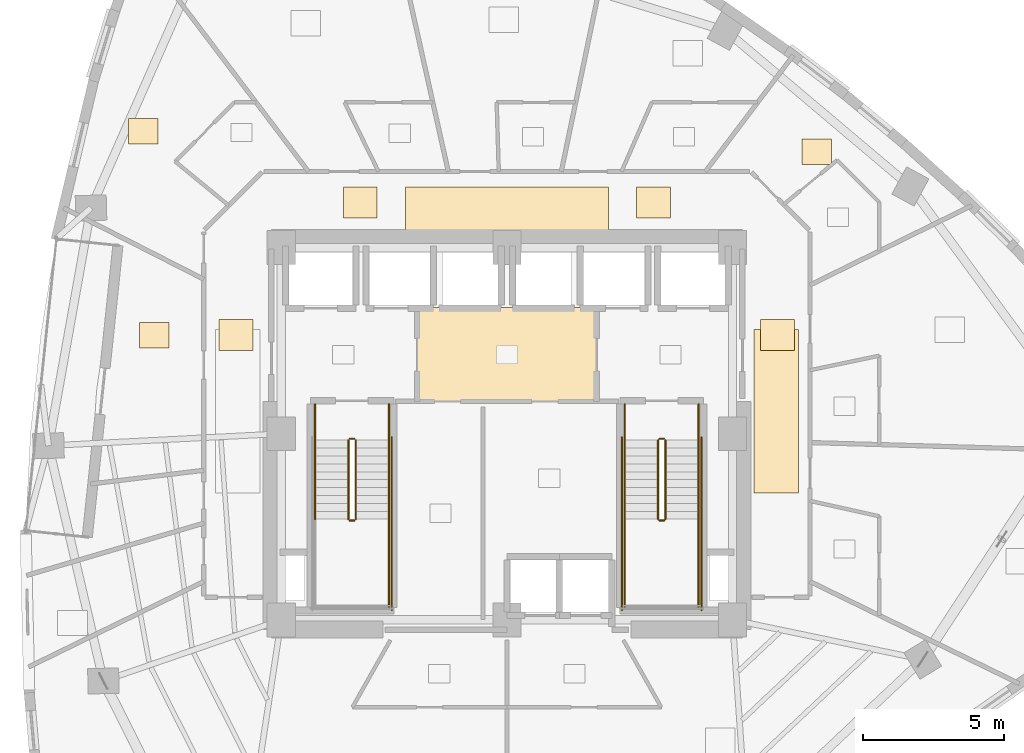
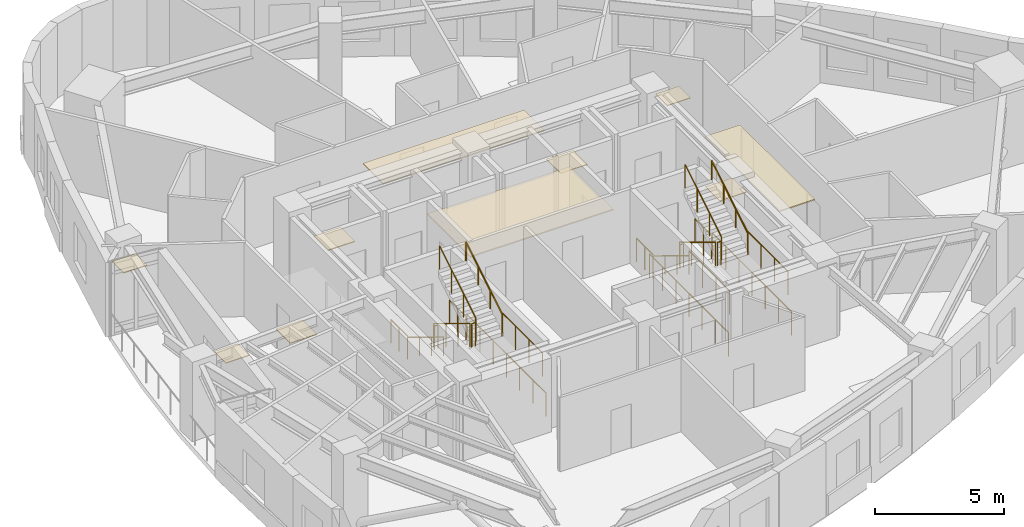
# One storey, part 11 of 12: 22 railings, 10 coverings.
"""IFC4 building model written with IfcOpenShell, lengths in metres."""

from ifc_helpers import new_model, si_unit, direction, frame, origin, origin_2d, place, context, subcontext, project, spatial, rectangle, circle, extrude, material, layer, layer_set, type_object, element, save


model = new_model("IFC4")

# Units and contexts
model_context = context("Model", 3, precision=1e-05, world=origin(), true_north=direction((0.0, 1.0)))
body_context = subcontext(model_context, "Body", "Model", "MODEL_VIEW")
ifc_project = project(units=[si_unit("LENGTHUNIT", "METRE"), si_unit("AREAUNIT", "SQUARE_METRE"), si_unit("VOLUMEUNIT", "CUBIC_METRE"), si_unit("PLANEANGLEUNIT", "RADIAN"), si_unit("MASSUNIT", "GRAM", prefix="KILO")], contexts=[model_context])

# Site, building, storey
site_placement = place(None, origin())
site = spatial("IfcSite", under=ifc_project, at=site_placement, CompositionType="ELEMENT")
building_placement = place(site_placement, origin())
building = spatial("IfcBuilding", under=site, at=building_placement, Name="Ndelora Gate Hotel", CompositionType="ELEMENT")
storey_placement = place(building_placement, frame((0.0, 0.0, 104.75)))
storey = spatial("IfcBuildingStorey", under=building, at=storey_placement, Name="L25", CompositionType="ELEMENT", Elevation=104.75)

# Coverings
ifc_material_1 = material(Name="Perforated Acoustic Gypsum Board", Category="gypsum")
ifc_layer_1 = layer(ifc_material_1, 0.054931640625)
ifc_layer_set_1 = layer_set([ifc_layer_1], Name="Perforated Acoustic Gypsum Board")
covering_type_1 = type_object("IfcCoveringType", Name="COV-CEIL-AC60", PredefinedType="CEILING", material=ifc_layer_set_1)
covering_1_placement = place(storey_placement, frame((0.0, 2.800048828125, 2.72265625), z_axis=(0.0, 0.0, 1.0), x_axis=(1.0, 0.0, 0.0)))
element("IfcCovering", 1, at=covering_1_placement, inside=storey, type_object=covering_type_1, Name="L25 Lift Lobby Acoustic Ceiling", PredefinedType="CEILING", context=body_context, shape_type="SweptSolid", body=[
    extrude(rectangle(XDim=6.39990234375, YDim=3.340087890625, at=origin_2d()), origin(), (0.0, 0.0, 1.0), 0.054931640625),
])
covering_2_placement = place(storey_placement, frame((0.0, 7.9599609375, 2.65234375), z_axis=(0.0, 0.0, 1.0), x_axis=(1.0, 0.0, 0.0)))
element("IfcCovering", 2, at=covering_2_placement, inside=storey, type_object=covering_type_1, Name="L25 Guest Corridor Acoustic Ceiling N", PredefinedType="CEILING", context=body_context, shape_type="SweptSolid", body=[
    extrude(rectangle(XDim=7.199951171875, YDim=1.580078125, at=origin_2d()), origin(), (0.0, 0.0, 1.0), 0.054931640625),
])
covering_3_placement = place(storey_placement, frame((9.550048828125, 0.800048828125, 2.65234375), z_axis=(0.0, 0.0, 1.0), x_axis=(1.0, 0.0, 0.0)))
element("IfcCovering", 3, at=covering_3_placement, inside=storey, type_object=covering_type_1, Name="L25 Guest Corridor Acoustic Ceiling E", PredefinedType="CEILING", context=body_context, shape_type="SweptSolid", body=[
    extrude(rectangle(XDim=1.580078125, YDim=5.800048828125, at=origin_2d()), origin(), (0.0, 0.0, 1.0), 0.054931640625),
])
ifc_material_2 = material(Name="Engineered Highland Oak Parquet", Category="wood")
ifc_layer_2 = layer(ifc_material_2, 0.030029296875)
ifc_layer_set_2 = layer_set([ifc_layer_2], Name="Engineered Highland Oak Parquet")
covering_type_2 = type_object("IfcCoveringType", Name="COV-FLR-PARQ", PredefinedType="FLOORING", material=ifc_layer_set_2)
for number, where, z_axis, x_axis, name in (
    (4, (10.98388671875, 9.997314453125, 0.0), (0.0, 0.0, 1.0), (1.0, 0.0, 0.0), "L25 South Reclaimed Club Suite 2805 Oak Parquet Flooring"),
    (5, (-12.8896484375, 10.730224609375, 0.0), (0.0, 0.0, 1.0), (1.0, 0.0, 0.0), "L25 Club King Guest Room 2809 Oak Parquet Flooring"),
    (6, (-12.505615234375, 3.489501953125, 0.0), (0.0, 0.0, 1.0), (1.0, 0.0, 0.0), "L25 Sky Garden Tea Dining Room Oak Parquet Flooring"),
):
    element("IfcCovering", number, at=place(storey_placement, frame(where, z_axis=z_axis, x_axis=x_axis)), inside=storey, type_object=covering_type_2, Name=name, PredefinedType="FLOORING", context=body_context, shape_type="SweptSolid", body=[
        extrude(rectangle(XDim=1.050048828125, YDim=0.89990234375, at=origin_2d()), origin(), (0.0, 0.0, 1.0), 0.030029296875),
    ])
ifc_material_3 = material(Name="Polished Highland Stone Terrazzo", Category="masonry")
ifc_layer_3 = layer(ifc_material_3, 0.034912109375)
ifc_layer_set_3 = layer_set([ifc_layer_3], Name="Polished Highland Stone Terrazzo")
covering_type_3 = type_object("IfcCoveringType", Name="COV-FLR-TERZ", PredefinedType="FLOORING", material=ifc_layer_set_3)
for number, where, z_axis, x_axis, name in (
    (7, (-5.199951171875, 8.199951171875, 0.0), (0.0, 0.0, 1.0), (1.0, 0.0, 0.0), "L25 Corridor Threshold Terrazzo Inlay NW"),
    (8, (5.199951171875, 8.199951171875, 0.0), (0.0, 0.0, 1.0), (1.0, 0.0, 0.0), "L25 Corridor Threshold Terrazzo Inlay NE"),
    (9, (-9.60009765625, 3.5, 0.0), (0.0, 0.0, 1.0), (1.0, 0.0, 0.0), "L25 Corridor Threshold Terrazzo Inlay W"),
    (10, (9.60009765625, 3.5, 0.0), (0.0, 0.0, 1.0), (1.0, 0.0, 0.0), "L25 Corridor Threshold Terrazzo Inlay E"),
):
    element("IfcCovering", number, at=place(storey_placement, frame(where, z_axis=z_axis, x_axis=x_axis)), inside=storey, type_object=covering_type_3, Name=name, PredefinedType="FLOORING", context=body_context, shape_type="SweptSolid", body=[
        extrude(rectangle(XDim=1.199951171875, YDim=1.10009765625, at=origin_2d()), origin(), (0.0, 0.0, 1.0), 0.034912109375),
    ])

# Railings
ifc_material_4 = material(Name="Painted Galvanized Steel Balustrade", Category="steel")
ifc_layer_4 = layer(ifc_material_4, 0.06005859375)
ifc_layer_set_4 = layer_set([ifc_layer_4], Name="Painted Galvanized Steel Balustrade")
railing_type_1 = type_object("IfcRailingType", Name="RL-STAIR-GD", PredefinedType="GUARDRAIL", material=ifc_layer_set_4)
railing_1_placement = place(storey_placement, frame((-5.6201171875, -0.22998046875, 0.17041015625)))
element("IfcRailing", 11, at=railing_1_placement, inside=storey, type_object=railing_type_1, Name="L25 ST4 stair guard 1", PredefinedType="GUARDRAIL", context=body_context, shape_type="SweptSolid", body=[
    extrude(circle(Radius=0.02392578125, at=origin_2d()), frame((0.0, 0.0, 1.10595703125), z_axis=(0.0, -0.854169791009, 0.51999420009), x_axis=(1.0, 0.0, 0.0)), (0.0, 0.0, 1.0), 3.278076171875),
    extrude(circle(Radius=0.02099609375, at=origin_2d()), origin(), (0.0, 0.0, 1.0), 1.081787109375),
    extrude(circle(Radius=0.02099609375, at=origin_2d()), frame((0.0, -0.933349609375, 0.568115234375)), (0.0, 0.0, 1.0), 1.081787109375),
    extrude(circle(Radius=0.02099609375, at=origin_2d()), frame((0.0, -1.86669921875, 1.136474609375)), (0.0, 0.0, 1.0), 1.081787109375),
    extrude(circle(Radius=0.02099609375, at=origin_2d()), frame((0.0, -2.800048828125, 1.70458984375)), (0.0, 0.0, 1.0), 1.081787109375),
])
railing_2_placement = place(storey_placement, frame((-5.570068359375, -3.080078125, 1.875)))
element("IfcRailing", 12, at=railing_2_placement, inside=storey, type_object=railing_type_1, Name="L25 ST4 stair guard 2", PredefinedType="GUARDRAIL", context=body_context, shape_type="SweptSolid", body=[
    extrude(circle(Radius=0.02392578125, at=origin_2d()), frame((0.0, 0.0, 1.10595703125), z_axis=(1.0, 0.0, 0.0), x_axis=(0.0, 1.0, 0.0)), (0.0, 0.0, 1.0), 0.16015625),
    extrude(circle(Radius=0.02099609375, at=origin_2d()), origin(), (0.0, 0.0, 1.0), 1.081787109375),
    extrude(circle(Radius=0.02099609375, at=origin_2d()), frame((0.16015625, 0.0, 0.0)), (0.0, 0.0, 1.0), 1.081787109375),
])
railing_3_placement = place(storey_placement, frame((-4.179931640625, -3.030029296875, 1.875)))
element("IfcRailing", 13, at=railing_3_placement, inside=storey, type_object=railing_type_1, Name="L25 ST4 stair guard 4", PredefinedType="GUARDRAIL", context=body_context, shape_type="SweptSolid", body=[
    extrude(circle(Radius=0.02392578125, at=origin_2d()), frame((0.0, 0.0, 1.10595703125), z_axis=(0.0, -1.0, 0.0), x_axis=(1.0, 0.0, 0.0)), (0.0, 0.0, 1.0), 3.119873046875),
    extrude(circle(Radius=0.02099609375, at=origin_2d()), origin(), (0.0, 0.0, 1.0), 1.081787109375),
    extrude(circle(Radius=0.02099609375, at=origin_2d()), frame((0.0, -1.0400390625, 0.0)), (0.0, 0.0, 1.0), 1.081787109375),
    extrude(circle(Radius=0.02099609375, at=origin_2d()), frame((0.0, -2.079833984375, 0.0)), (0.0, 0.0, 1.0), 1.081787109375),
    extrude(circle(Radius=0.02099609375, at=origin_2d()), frame((0.0, -3.119873046875, 0.0)), (0.0, 0.0, 1.0), 1.081787109375),
])
railing_4_placement = place(storey_placement, frame((-5.360107421875, -3.030029296875, 2.04541015625)))
element("IfcRailing", 14, at=railing_4_placement, inside=storey, type_object=railing_type_1, Name="L25 ST4 stair guard 6", PredefinedType="GUARDRAIL", context=body_context, shape_type="SweptSolid", body=[
    extrude(circle(Radius=0.02392578125, at=origin_2d()), frame((0.0, 0.0, 1.10595703125), z_axis=(0.0, 0.854169791009, 0.51999420009), x_axis=(-1.0, 0.0, 0.0)), (0.0, 0.0, 1.0), 3.278076171875),
    extrude(circle(Radius=0.02099609375, at=origin_2d()), origin(), (0.0, 0.0, 1.0), 1.081787109375),
    extrude(circle(Radius=0.02099609375, at=origin_2d()), frame((0.0, 0.933349609375, 0.568115234375)), (0.0, 0.0, 1.0), 1.081787109375),
    extrude(circle(Radius=0.02099609375, at=origin_2d()), frame((0.0, 1.86669921875, 1.136474609375)), (0.0, 0.0, 1.0), 1.081787109375),
    extrude(circle(Radius=0.02099609375, at=origin_2d()), frame((0.0, 2.800048828125, 1.70458984375)), (0.0, 0.0, 1.0), 1.081787109375),
])
railing_5_placement = place(storey_placement, frame((-5.570068359375, -0.179931640625, 0.0)))
element("IfcRailing", 15, at=railing_5_placement, inside=storey, type_object=railing_type_1, Name="L25 ST4 stair guard 7", PredefinedType="GUARDRAIL", context=body_context, shape_type="SweptSolid", body=[
    extrude(circle(Radius=0.02392578125, at=origin_2d()), frame((0.0, 0.0, 1.10595703125), z_axis=(1.0, 0.0, 0.0), x_axis=(0.0, 1.0, 0.0)), (0.0, 0.0, 1.0), 0.16015625),
    extrude(circle(Radius=0.02099609375, at=origin_2d()), origin(), (0.0, 0.0, 1.0), 1.081787109375),
    extrude(circle(Radius=0.02099609375, at=origin_2d()), frame((0.16015625, 0.0, 0.0)), (0.0, 0.0, 1.0), 1.081787109375),
])
for number, where, name in (
    (16, (-6.800048828125, 1.050048828125, 0.0), "L25 ST4 stair guard 8"),
    (17, (-4.179931640625, 1.050048828125, 0.0), "L25 ST4 stair guard 9"),
):
    element("IfcRailing", number, at=place(storey_placement, frame(where)), inside=storey, type_object=railing_type_1, Name=name, PredefinedType="GUARDRAIL", context=body_context, shape_type="SweptSolid", body=[
        extrude(circle(Radius=0.02392578125, at=origin_2d()), frame((0.0, 0.0, 1.10595703125), z_axis=(0.0, -1.0, 0.0), x_axis=(1.0, 0.0, 0.0)), (0.0, 0.0, 1.0), 1.280029296875),
        extrude(circle(Radius=0.02099609375, at=origin_2d()), origin(), (0.0, 0.0, 1.0), 1.081787109375),
        extrude(circle(Radius=0.02099609375, at=origin_2d()), frame((0.0, -0.64013671875, 0.0)), (0.0, 0.0, 1.0), 1.081787109375),
        extrude(circle(Radius=0.02099609375, at=origin_2d()), frame((0.0, -1.280029296875, 0.0)), (0.0, 0.0, 1.0), 1.081787109375),
    ])
railing_6_placement = place(storey_placement, frame((-4.080078125, -0.1298828125, 0.0)))
element("IfcRailing", 18, at=railing_6_placement, inside=storey, type_object=railing_type_1, Name="L25 ST4 stair guard 11", PredefinedType="GUARDRAIL", context=body_context, shape_type="SweptSolid", body=[
    extrude(circle(Radius=0.02392578125, at=origin_2d()), frame((0.0, 0.0, 1.10595703125), z_axis=(0.0, -1.0, 0.0), x_axis=(1.0, 0.0, 0.0)), (0.0, 0.0, 1.0), 6.1201171875),
    extrude(circle(Radius=0.02099609375, at=origin_2d()), origin(), (0.0, 0.0, 1.0), 1.081787109375),
    extrude(circle(Radius=0.02099609375, at=origin_2d()), frame((0.0, -1.02001953125, 0.0)), (0.0, 0.0, 1.0), 1.081787109375),
    extrude(circle(Radius=0.02099609375, at=origin_2d()), frame((0.0, -2.0400390625, 0.0)), (0.0, 0.0, 1.0), 1.081787109375),
    extrude(circle(Radius=0.02099609375, at=origin_2d()), frame((0.0, -3.06005859375, 0.0)), (0.0, 0.0, 1.0), 1.081787109375),
    extrude(circle(Radius=0.02099609375, at=origin_2d()), frame((0.0, -4.080078125, 0.0)), (0.0, 0.0, 1.0), 1.081787109375),
    extrude(circle(Radius=0.02099609375, at=origin_2d()), frame((0.0, -5.10009765625, 0.0)), (0.0, 0.0, 1.0), 1.081787109375),
    extrude(circle(Radius=0.02099609375, at=origin_2d()), frame((0.0, -6.1201171875, 0.0)), (0.0, 0.0, 1.0), 1.081787109375),
])
railing_7_placement = place(storey_placement, frame((5.360107421875, -0.22998046875, 0.17041015625)))
element("IfcRailing", 19, at=railing_7_placement, inside=storey, type_object=railing_type_1, Name="L25 ST5 stair guard 1", PredefinedType="GUARDRAIL", context=body_context, shape_type="SweptSolid", body=[
    extrude(circle(Radius=0.02392578125, at=origin_2d()), frame((0.0, 0.0, 1.10595703125), z_axis=(0.0, -0.854169791009, 0.51999420009), x_axis=(1.0, 0.0, 0.0)), (0.0, 0.0, 1.0), 3.278076171875),
    extrude(circle(Radius=0.02099609375, at=origin_2d()), origin(), (0.0, 0.0, 1.0), 1.081787109375),
    extrude(circle(Radius=0.02099609375, at=origin_2d()), frame((0.0, -0.933349609375, 0.568115234375)), (0.0, 0.0, 1.0), 1.081787109375),
    extrude(circle(Radius=0.02099609375, at=origin_2d()), frame((0.0, -1.86669921875, 1.136474609375)), (0.0, 0.0, 1.0), 1.081787109375),
    extrude(circle(Radius=0.02099609375, at=origin_2d()), frame((0.0, -2.800048828125, 1.70458984375)), (0.0, 0.0, 1.0), 1.081787109375),
])
railing_8_placement = place(storey_placement, frame((5.409912109375, -3.080078125, 1.875)))
element("IfcRailing", 20, at=railing_8_placement, inside=storey, type_object=railing_type_1, Name="L25 ST5 stair guard 2", PredefinedType="GUARDRAIL", context=body_context, shape_type="SweptSolid", body=[
    extrude(circle(Radius=0.02392578125, at=origin_2d()), frame((0.0, 0.0, 1.10595703125), z_axis=(1.0, 0.0, 0.0), x_axis=(0.0, 1.0, 0.0)), (0.0, 0.0, 1.0), 0.16015625),
    extrude(circle(Radius=0.02099609375, at=origin_2d()), origin(), (0.0, 0.0, 1.0), 1.081787109375),
    extrude(circle(Radius=0.02099609375, at=origin_2d()), frame((0.16015625, 0.0, 0.0)), (0.0, 0.0, 1.0), 1.081787109375),
])
for number, where, name in (
    (21, (4.179931640625, -3.030029296875, 1.875), "L25 ST5 stair guard 3"),
    (22, (6.800048828125, -3.030029296875, 1.875), "L25 ST5 stair guard 4"),
):
    element("IfcRailing", number, at=place(storey_placement, frame(where)), inside=storey, type_object=railing_type_1, Name=name, PredefinedType="GUARDRAIL", context=body_context, shape_type="SweptSolid", body=[
        extrude(circle(Radius=0.02392578125, at=origin_2d()), frame((0.0, 0.0, 1.10595703125), z_axis=(0.0, -1.0, 0.0), x_axis=(1.0, 0.0, 0.0)), (0.0, 0.0, 1.0), 3.119873046875),
        extrude(circle(Radius=0.02099609375, at=origin_2d()), origin(), (0.0, 0.0, 1.0), 1.081787109375),
        extrude(circle(Radius=0.02099609375, at=origin_2d()), frame((0.0, -1.0400390625, 0.0)), (0.0, 0.0, 1.0), 1.081787109375),
        extrude(circle(Radius=0.02099609375, at=origin_2d()), frame((0.0, -2.079833984375, 0.0)), (0.0, 0.0, 1.0), 1.081787109375),
        extrude(circle(Radius=0.02099609375, at=origin_2d()), frame((0.0, -3.119873046875, 0.0)), (0.0, 0.0, 1.0), 1.081787109375),
    ])
railing_9_placement = place(storey_placement, frame((5.6201171875, -3.030029296875, 2.04541015625)))
element("IfcRailing", 23, at=railing_9_placement, inside=storey, type_object=railing_type_1, Name="L25 ST5 stair guard 6", PredefinedType="GUARDRAIL", context=body_context, shape_type="SweptSolid", body=[
    extrude(circle(Radius=0.02392578125, at=origin_2d()), frame((0.0, 0.0, 1.10595703125), z_axis=(0.0, 0.854169791009, 0.51999420009), x_axis=(-1.0, 0.0, 0.0)), (0.0, 0.0, 1.0), 3.278076171875),
    extrude(circle(Radius=0.02099609375, at=origin_2d()), origin(), (0.0, 0.0, 1.0), 1.081787109375),
    extrude(circle(Radius=0.02099609375, at=origin_2d()), frame((0.0, 0.933349609375, 0.568115234375)), (0.0, 0.0, 1.0), 1.081787109375),
    extrude(circle(Radius=0.02099609375, at=origin_2d()), frame((0.0, 1.86669921875, 1.136474609375)), (0.0, 0.0, 1.0), 1.081787109375),
    extrude(circle(Radius=0.02099609375, at=origin_2d()), frame((0.0, 2.800048828125, 1.70458984375)), (0.0, 0.0, 1.0), 1.081787109375),
])
railing_10_placement = place(storey_placement, frame((5.409912109375, -0.179931640625, 0.0)))
element("IfcRailing", 24, at=railing_10_placement, inside=storey, type_object=railing_type_1, Name="L25 ST5 stair guard 7", PredefinedType="GUARDRAIL", context=body_context, shape_type="SweptSolid", body=[
    extrude(circle(Radius=0.02392578125, at=origin_2d()), frame((0.0, 0.0, 1.10595703125), z_axis=(1.0, 0.0, 0.0), x_axis=(0.0, 1.0, 0.0)), (0.0, 0.0, 1.0), 0.16015625),
    extrude(circle(Radius=0.02099609375, at=origin_2d()), origin(), (0.0, 0.0, 1.0), 1.081787109375),
    extrude(circle(Radius=0.02099609375, at=origin_2d()), frame((0.16015625, 0.0, 0.0)), (0.0, 0.0, 1.0), 1.081787109375),
])
for number, where, name in (
    (25, (4.179931640625, 1.050048828125, 0.0), "L25 ST5 stair guard 8"),
    (26, (6.800048828125, 1.050048828125, 0.0), "L25 ST5 stair guard 9"),
):
    element("IfcRailing", number, at=place(storey_placement, frame(where)), inside=storey, type_object=railing_type_1, Name=name, PredefinedType="GUARDRAIL", context=body_context, shape_type="SweptSolid", body=[
        extrude(circle(Radius=0.02392578125, at=origin_2d()), frame((0.0, 0.0, 1.10595703125), z_axis=(0.0, -1.0, 0.0), x_axis=(1.0, 0.0, 0.0)), (0.0, 0.0, 1.0), 1.280029296875),
        extrude(circle(Radius=0.02099609375, at=origin_2d()), origin(), (0.0, 0.0, 1.0), 1.081787109375),
        extrude(circle(Radius=0.02099609375, at=origin_2d()), frame((0.0, -0.64013671875, 0.0)), (0.0, 0.0, 1.0), 1.081787109375),
        extrude(circle(Radius=0.02099609375, at=origin_2d()), frame((0.0, -1.280029296875, 0.0)), (0.0, 0.0, 1.0), 1.081787109375),
    ])
for number, where, name in (
    (27, (4.080078125, -0.1298828125, 0.0), "L25 ST5 stair guard 10"),
    (28, (6.89990234375, -0.1298828125, 0.0), "L25 ST5 stair guard 11"),
):
    element("IfcRailing", number, at=place(storey_placement, frame(where)), inside=storey, type_object=railing_type_1, Name=name, PredefinedType="GUARDRAIL", context=body_context, shape_type="SweptSolid", body=[
        extrude(circle(Radius=0.02392578125, at=origin_2d()), frame((0.0, 0.0, 1.10595703125), z_axis=(0.0, -1.0, 0.0), x_axis=(1.0, 0.0, 0.0)), (0.0, 0.0, 1.0), 6.1201171875),
        extrude(circle(Radius=0.02099609375, at=origin_2d()), origin(), (0.0, 0.0, 1.0), 1.081787109375),
        extrude(circle(Radius=0.02099609375, at=origin_2d()), frame((0.0, -1.02001953125, 0.0)), (0.0, 0.0, 1.0), 1.081787109375),
        extrude(circle(Radius=0.02099609375, at=origin_2d()), frame((0.0, -2.0400390625, 0.0)), (0.0, 0.0, 1.0), 1.081787109375),
        extrude(circle(Radius=0.02099609375, at=origin_2d()), frame((0.0, -3.06005859375, 0.0)), (0.0, 0.0, 1.0), 1.081787109375),
        extrude(circle(Radius=0.02099609375, at=origin_2d()), frame((0.0, -4.080078125, 0.0)), (0.0, 0.0, 1.0), 1.081787109375),
        extrude(circle(Radius=0.02099609375, at=origin_2d()), frame((0.0, -5.10009765625, 0.0)), (0.0, 0.0, 1.0), 1.081787109375),
        extrude(circle(Radius=0.02099609375, at=origin_2d()), frame((0.0, -6.1201171875, 0.0)), (0.0, 0.0, 1.0), 1.081787109375),
    ])
ifc_material_5 = material(Name="Brushed Stainless Steel 316", Category="steel")
ifc_layer_5 = layer(ifc_material_5, 0.050048828125)
ifc_layer_set_5 = layer_set([ifc_layer_5], Name="Brushed Stainless Steel 316")
railing_type_2 = type_object("IfcRailingType", Name="RL-STAIR-HR", PredefinedType="HANDRAIL", material=ifc_layer_set_5)
railing_11_placement = place(storey_placement, frame((-6.800048828125, -0.22998046875, 0.17041015625)))
element("IfcRailing", 29, at=railing_11_placement, inside=storey, type_object=railing_type_2, Name="L25 ST4 stair handrail 1", PredefinedType="HANDRAIL", context=body_context, shape_type="SweptSolid", body=[
    extrude(circle(Radius=0.02392578125, at=origin_2d()), frame((0.0, 0.0, 0.8759765625), z_axis=(0.0, -0.854169791009, 0.51999420009), x_axis=(1.0, 0.0, 0.0)), (0.0, 0.0, 1.0), 3.278076171875),
    extrude(circle(Radius=0.02099609375, at=origin_2d()), origin(), (0.0, 0.0, 1.0), 0.851806640625),
    extrude(circle(Radius=0.02099609375, at=origin_2d()), frame((0.0, -0.933349609375, 0.568115234375)), (0.0, 0.0, 1.0), 0.851806640625),
    extrude(circle(Radius=0.02099609375, at=origin_2d()), frame((0.0, -1.86669921875, 1.136474609375)), (0.0, 0.0, 1.0), 0.851806640625),
    extrude(circle(Radius=0.02099609375, at=origin_2d()), frame((0.0, -2.800048828125, 1.70458984375)), (0.0, 0.0, 1.0), 0.851806640625),
])
railing_12_placement = place(storey_placement, frame((-4.179931640625, -3.030029296875, 2.04541015625)))
element("IfcRailing", 30, at=railing_12_placement, inside=storey, type_object=railing_type_2, Name="L25 ST4 stair handrail 2", PredefinedType="HANDRAIL", context=body_context, shape_type="SweptSolid", body=[
    extrude(circle(Radius=0.02392578125, at=origin_2d()), frame((0.0, 0.0, 0.8759765625), z_axis=(0.0, 0.854169791009, 0.51999420009), x_axis=(-1.0, 0.0, 0.0)), (0.0, 0.0, 1.0), 3.278076171875),
    extrude(circle(Radius=0.02099609375, at=origin_2d()), origin(), (0.0, 0.0, 1.0), 0.851806640625),
    extrude(circle(Radius=0.02099609375, at=origin_2d()), frame((0.0, 0.933349609375, 0.568115234375)), (0.0, 0.0, 1.0), 0.851806640625),
    extrude(circle(Radius=0.02099609375, at=origin_2d()), frame((0.0, 1.86669921875, 1.136474609375)), (0.0, 0.0, 1.0), 0.851806640625),
    extrude(circle(Radius=0.02099609375, at=origin_2d()), frame((0.0, 2.800048828125, 1.70458984375)), (0.0, 0.0, 1.0), 0.851806640625),
])
railing_13_placement = place(storey_placement, frame((4.179931640625, -0.22998046875, 0.17041015625)))
element("IfcRailing", 31, at=railing_13_placement, inside=storey, type_object=railing_type_2, Name="L25 ST5 stair handrail 1", PredefinedType="HANDRAIL", context=body_context, shape_type="SweptSolid", body=[
    extrude(circle(Radius=0.02392578125, at=origin_2d()), frame((0.0, 0.0, 0.8759765625), z_axis=(0.0, -0.854169791009, 0.51999420009), x_axis=(1.0, 0.0, 0.0)), (0.0, 0.0, 1.0), 3.278076171875),
    extrude(circle(Radius=0.02099609375, at=origin_2d()), origin(), (0.0, 0.0, 1.0), 0.851806640625),
    extrude(circle(Radius=0.02099609375, at=origin_2d()), frame((0.0, -0.933349609375, 0.568115234375)), (0.0, 0.0, 1.0), 0.851806640625),
    extrude(circle(Radius=0.02099609375, at=origin_2d()), frame((0.0, -1.86669921875, 1.136474609375)), (0.0, 0.0, 1.0), 0.851806640625),
    extrude(circle(Radius=0.02099609375, at=origin_2d()), frame((0.0, -2.800048828125, 1.70458984375)), (0.0, 0.0, 1.0), 0.851806640625),
])
railing_14_placement = place(storey_placement, frame((6.800048828125, -3.030029296875, 2.04541015625)))
element("IfcRailing", 32, at=railing_14_placement, inside=storey, type_object=railing_type_2, Name="L25 ST5 stair handrail 2", PredefinedType="HANDRAIL", context=body_context, shape_type="SweptSolid", body=[
    extrude(circle(Radius=0.02392578125, at=origin_2d()), frame((0.0, 0.0, 0.8759765625), z_axis=(0.0, 0.854169791009, 0.51999420009), x_axis=(-1.0, 0.0, 0.0)), (0.0, 0.0, 1.0), 3.278076171875),
    extrude(circle(Radius=0.02099609375, at=origin_2d()), origin(), (0.0, 0.0, 1.0), 0.851806640625),
    extrude(circle(Radius=0.02099609375, at=origin_2d()), frame((0.0, 0.933349609375, 0.568115234375)), (0.0, 0.0, 1.0), 0.851806640625),
    extrude(circle(Radius=0.02099609375, at=origin_2d()), frame((0.0, 1.86669921875, 1.136474609375)), (0.0, 0.0, 1.0), 0.851806640625),
    extrude(circle(Radius=0.02099609375, at=origin_2d()), frame((0.0, 2.800048828125, 1.70458984375)), (0.0, 0.0, 1.0), 0.851806640625),
])

save(model, "model.ifc")
